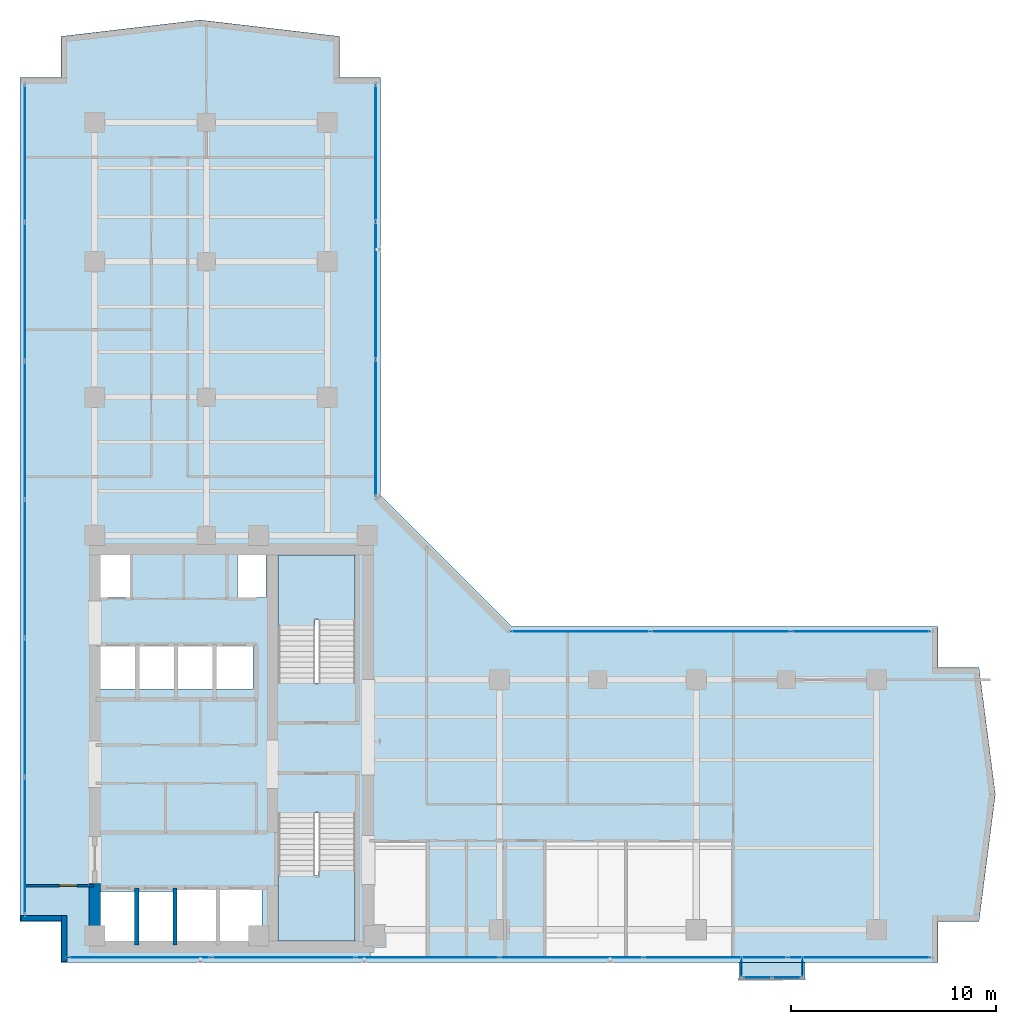
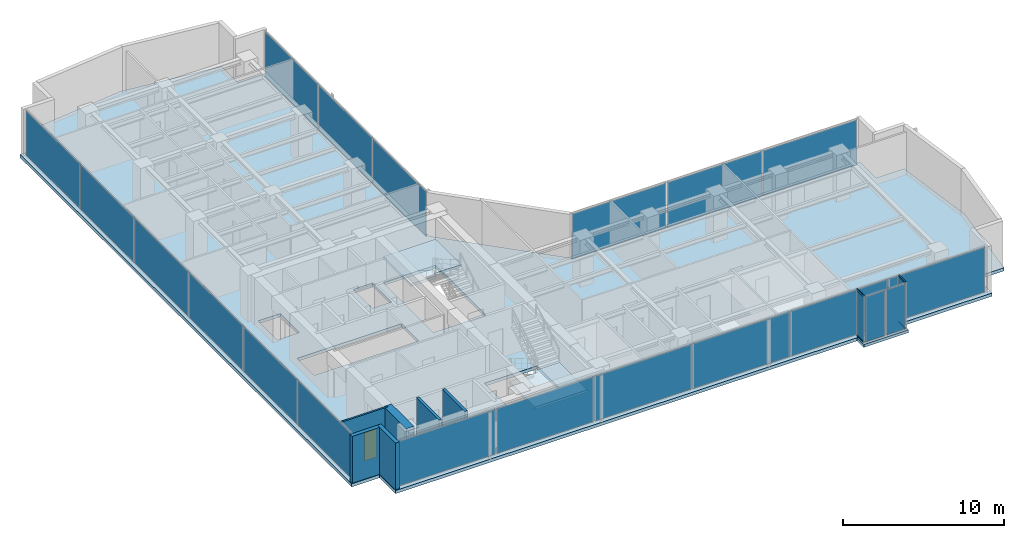
# One storey, part 15 of 23: 22 plates, 6 walls, 4 members, 4 slabs, 1 door, 1 opening, 9 elements without a shape of their own.
"""IFC4 building model written with IfcOpenShell, lengths in metres."""

from ifc_helpers import new_model, si_unit, direction, frame, frame_2d, origin, origin_with_axes, origin_2d, place, context, subcontext, project, spatial, polyline, rectangle, hollow_rectangle, outline, extrude, source, transform, mapped, material, layer, layer_set, material_profile, profile_set, type_object, element, fill, aggregate, save


model = new_model("IFC4")

# Units and contexts
model_context = context("Model", 3, precision=1e-05, world=origin(), true_north=direction((0.0, 1.0)))
body_context = subcontext(model_context, "Body", "Model", "MODEL_VIEW")
ifc_project = project(units=[si_unit("LENGTHUNIT", "METRE"), si_unit("AREAUNIT", "SQUARE_METRE"), si_unit("VOLUMEUNIT", "CUBIC_METRE"), si_unit("PLANEANGLEUNIT", "RADIAN"), si_unit("MASSUNIT", "GRAM", prefix="KILO")], contexts=[model_context])

# Site, building, storey
site_placement = place(None, origin())
site = spatial("IfcSite", under=ifc_project, at=site_placement, CompositionType="ELEMENT")
building_placement = place(site_placement, origin())
building = spatial("IfcBuilding", under=site, at=building_placement, Name="Kolvaren Waterfront Exchange", CompositionType="ELEMENT")
storey_placement = place(building_placement, frame((0.0, 0.0, 242.5)))
storey = spatial("IfcBuildingStorey", under=building, at=storey_placement, Name="L62", CompositionType="ELEMENT", Elevation=242.5)

# Curtain wall, members
ifc_material_1 = material(Name="Anodised bronze aluminium 6063-T6", Category="aluminium")
ifc_layer_1 = layer(ifc_material_1, 0.219970703125, Name="Anodised bronze aluminium 6063-T6")
ifc_layer_set_1 = layer_set([ifc_layer_1], Name="Anodised bronze aluminium 6063-T6")
curtain_wall_type_1 = type_object("IfcCurtainWallType", Name="ARC-CW-SYS3", PredefinedType="USERDEFINED", material=ifc_layer_set_1)
curtain_wall_1_placement = place(storey_placement, origin())
curtain_wall_1 = element("IfcCurtainWall", 1, at=curtain_wall_1_placement, inside=storey, type_object=curtain_wall_type_1, Name="L62 stick curtain wall CW3 (CW-L62-BOX-W)", ObjectType="STICK CURTAIN WALL", PredefinedType="USERDEFINED")
ifc_material_profile = material_profile(ifc_material_1, hollow_rectangle(XDim=0.06494140625, YDim=0.1298828125, WallThickness=0.00390625, at=origin_2d()), Name="ALU-TRN-130x65x4")
ifc_profile_set = profile_set([ifc_material_profile], Name="Anodised bronze aluminium 6063-T6")
member_type = type_object("IfcMemberType", Name="ARC-CWT-130", PredefinedType="USERDEFINED", material=ifc_profile_set)
shared_shape_1 = source(origin_with_axes(), body_context, "Body", "SweptSolid", [
    extrude(hollow_rectangle(XDim=0.06494140625, YDim=0.1298828125, WallThickness=0.00390625, at=origin_2d()), origin(), (0.0, 0.0, 1.0), 0.829833984375),
])
member_1_placement = place(storey_placement, frame((39.010009765625, 3.764892578125, 0.032470703125), z_axis=(0.0, -1.0, 0.0), x_axis=(1.0, 0.0, 0.0)))
member_1 = element("IfcMember", 2, at=member_1_placement, type_object=member_type, Name="CW3 transom 1.1", ObjectType="TRANSOM", PredefinedType="USERDEFINED", context=body_context, shape_type="MappedRepresentation", body=[
    mapped(shared_shape_1, transform((0.0, 0.0, 0.0), x_axis=(1.0, 0.0, 0.0), y_axis=(0.0, 1.0, 0.0), z_axis=(0.0, 0.0, 1.0), scale=1.0)),
])
member_2_placement = place(storey_placement, frame((39.010009765625, 3.764892578125, 3.527587890625), z_axis=(0.0, -1.0, 0.0), x_axis=(1.0, 0.0, 0.0)))
member_2 = element("IfcMember", 3, at=member_2_placement, type_object=member_type, Name="CW3 transom 1.2", ObjectType="TRANSOM", PredefinedType="USERDEFINED", context=body_context, shape_type="MappedRepresentation", body=[
    mapped(shared_shape_1, transform((0.0, 0.0, 0.0), x_axis=(1.0, 0.0, 0.0), y_axis=(0.0, 1.0, 0.0), z_axis=(0.0, 0.0, 1.0), scale=1.0)),
])

curtain_wall_2_placement = place(storey_placement, origin())
curtain_wall_2 = element("IfcCurtainWall", 4, at=curtain_wall_2_placement, inside=storey, type_object=curtain_wall_type_1, Name="L62 stick curtain wall CW3 (CW-L62-BOX-E)", ObjectType="STICK CURTAIN WALL", PredefinedType="USERDEFINED")
member_3_placement = place(storey_placement, frame((41.989990234375, 2.93505859375, 0.032470703125), z_axis=(0.0, 1.0, 0.0), x_axis=(-1.0, 0.0, 0.0)))
member_3 = element("IfcMember", 5, at=member_3_placement, type_object=member_type, Name="CW3 transom 1.1", ObjectType="TRANSOM", PredefinedType="USERDEFINED", context=body_context, shape_type="MappedRepresentation", body=[
    mapped(shared_shape_1, transform((0.0, 0.0, 0.0), x_axis=(1.0, 0.0, 0.0), y_axis=(0.0, 1.0, 0.0), z_axis=(0.0, 0.0, 1.0), scale=1.0)),
])
member_4_placement = place(storey_placement, frame((41.989990234375, 2.93505859375, 3.527587890625), z_axis=(0.0, 1.0, 0.0), x_axis=(-1.0, 0.0, 0.0)))
member_4 = element("IfcMember", 6, at=member_4_placement, type_object=member_type, Name="CW3 transom 1.2", ObjectType="TRANSOM", PredefinedType="USERDEFINED", context=body_context, shape_type="MappedRepresentation", body=[
    mapped(shared_shape_1, transform((0.0, 0.0, 0.0), x_axis=(1.0, 0.0, 0.0), y_axis=(0.0, 1.0, 0.0), z_axis=(0.0, 0.0, 1.0), scale=1.0)),
])

# Stair, slab
ifc_material_2 = material(Name="Concrete C40/50", Category="concrete")
stair_type = type_object("IfcStairType", Name="ARC-STAIR-3800", PredefinedType="HALF_TURN_STAIR", material=ifc_material_2)
stair_1_placement = place(storey_placement, origin())
stair_1 = element("IfcStair", 7, at=stair_1_placement, inside=storey, type_object=stair_type, Name="L62 Smoke-proof exit stair ST1", PredefinedType="HALF_TURN_STAIR")
ifc_layer_2 = layer(ifc_material_2, 0.199951171875, Name="Concrete C40/50")
ifc_layer_set_2 = layer_set([ifc_layer_2], Name="Concrete C40/50")
slab_type_1 = type_object("IfcSlabType", Name="STR-LANDING-200", PredefinedType="LANDING", material=ifc_layer_set_2)
slab_1_placement = place(storey_placement, frame((0.0, 0.0, 1.77587890625)))
slab_1 = element("IfcSlab", 8, at=slab_1_placement, type_object=slab_type_1, Name="ST1 landing 1", PredefinedType="LANDING", context=body_context, shape_type="SweptSolid", body=[
    extrude(outline(polyline([(16.39990234375, 7.840087890625), (16.39990234375, 4.64990234375), (20.159912109375, 4.64990234375), (20.159912109375, 8.10009765625), (18.360107421875, 8.10009765625), (18.360107421875, 7.840087890625), (16.39990234375, 7.840087890625)])), origin(), (0.0, 0.0, 1.0), 0.2001953125),
])
aggregate(stair_1, [slab_1])

stair_2_placement = place(storey_placement, origin())
stair_2 = element("IfcStair", 9, at=stair_2_placement, inside=storey, type_object=stair_type, Name="L62 Smoke-proof exit stair ST2", PredefinedType="HALF_TURN_STAIR")
slab_2_placement = place(storey_placement, frame((0.0, 0.0, 1.77587890625)))
slab_2 = element("IfcSlab", 10, at=slab_2_placement, type_object=slab_type_1, Name="ST2 landing 1", PredefinedType="LANDING", context=body_context, shape_type="SweptSolid", body=[
    extrude(outline(polyline([(20.159912109375, 20.31005859375), (20.159912109375, 23.5), (16.39990234375, 23.5), (16.39990234375, 20.050048828125), (18.199951171875, 20.050048828125), (18.199951171875, 20.31005859375), (20.159912109375, 20.31005859375)])), origin(), (0.0, 0.0, 1.0), 0.2001953125),
])
aggregate(stair_2, [slab_2])

# Slabs
ifc_layer_3 = layer(ifc_material_2, 0.239990234375, Name="Concrete C40/50")
ifc_layer_set_3 = layer_set([ifc_layer_3], Name="Concrete C40/50")
slab_type_2 = type_object("IfcSlabType", Name="STR-SLAB-240", PredefinedType="FLOOR", material=ifc_layer_set_3)
slab_3_placement = place(storey_placement, frame((0.0, 0.0, -0.239990234375)))
element("IfcSlab", 11, at=slab_3_placement, inside=storey, type_object=slab_type_2, Name="L62 structural floor slab", PredefinedType="FLOOR", context=body_context, shape_type="SweptSolid", body=[
    extrude(outline(polyline([(5.800048828125, 3.60009765625), (48.60009765625, 3.60009765625), (48.60009765625, 5.60009765625), (50.60009765625, 5.60009765625), (51.39990234375, 11.800048828125), (50.60009765625, 18.0), (48.60009765625, 18.0), (48.60009765625, 20.0), (27.800048828125, 20.0), (21.39990234375, 26.39990234375), (21.39990234375, 46.800048828125), (19.39990234375, 46.800048828125), (19.39990234375, 48.800048828125), (12.60009765625, 49.60009765625), (5.800048828125, 48.800048828125), (5.800048828125, 46.800048828125), (3.800048828125, 46.800048828125), (3.800048828125, 5.60009765625), (5.800048828125, 5.60009765625), (5.800048828125, 3.60009765625)]), holes=[polyline([(11.320068359375, 7.260009765625), (15.610107421875, 7.260009765625), (15.610107421875, 4.5400390625), (7.719970703125, 4.5400390625), (7.719970703125, 7.06005859375), (11.320068359375, 7.06005859375), (11.320068359375, 7.260009765625)]), polyline([(20.159912109375, 10.89990234375), (20.159912109375, 4.64990234375), (16.39990234375, 4.64990234375), (16.39990234375, 10.89990234375), (20.159912109375, 10.89990234375)]), polyline([(7.669921875, 19.06005859375), (15.159912109375, 19.06005859375), (15.159912109375, 16.93994140625), (7.669921875, 16.93994140625), (7.669921875, 19.06005859375)]), polyline([(16.39990234375, 17.25), (16.39990234375, 23.5), (20.159912109375, 23.5), (20.159912109375, 17.25), (16.39990234375, 17.25)]), polyline([(7.60009765625, 23.780029296875), (9.179931640625, 23.780029296875), (9.179931640625, 21.419921875), (7.60009765625, 21.419921875), (7.60009765625, 23.780029296875)]), polyline([(14.419921875, 23.780029296875), (15.800048828125, 23.780029296875), (15.800048828125, 21.419921875), (14.419921875, 21.419921875), (14.419921875, 23.780029296875)])]), origin(), (0.0, 0.0, 1.0), 0.239990234375),
])
ifc_layer_4 = layer(ifc_material_2, 0.219970703125, Name="Concrete C40/50")
ifc_layer_set_4 = layer_set([ifc_layer_4], Name="Concrete C40/50")
slab_type_3 = type_object("IfcSlabType", Name="STR-TERR-220", PredefinedType="FLOOR", material=ifc_layer_set_4)
slab_4_placement = place(storey_placement, frame((0.0, 0.0, -0.219970703125)))
element("IfcSlab", 12, at=slab_4_placement, inside=storey, type_object=slab_type_3, Name="L62 projecting bay-box floor strip", PredefinedType="FLOOR", context=body_context, shape_type="SweptSolid", body=[
    extrude(outline(polyline([(38.89990234375, 2.75), (42.10009765625, 2.75), (42.10009765625, 3.60009765625), (38.89990234375, 3.60009765625), (38.89990234375, 2.75)])), origin(), (0.0, 0.0, 1.0), 0.219970703125),
])

# Plate
ifc_material_3 = material(Name="Bronze tinted bay-box vision glass", Category="aluminium")
ifc_layer_5 = layer(ifc_material_3, 0.02392578125, Name="Bronze tinted bay-box vision glass")
ifc_layer_set_5 = layer_set([ifc_layer_5], Name="Bronze tinted bay-box vision glass")
plate_type_1 = type_object("IfcPlateType", Name="ARC-CWP-24", PredefinedType="CURTAIN_PANEL", material=ifc_layer_set_5)
shared_shape_2 = source(origin_with_axes(), body_context, "Body", "SweptSolid", [
    extrude(rectangle(XDim=0.830078125, YDim=0.02392578125, at=origin_2d()), origin(), (0.0, 0.0, 1.0), 3.429931640625),
])
plate_1_placement = place(storey_placement, frame((39.010009765625, 3.35009765625, 0.06494140625), z_axis=(0.0, 0.0, 1.0), x_axis=(0.0, -1.0, 0.0)))
plate_1 = element("IfcPlate", 13, at=plate_1_placement, type_object=plate_type_1, Name="CW3 panel 1.1", PredefinedType="CURTAIN_PANEL", context=body_context, shape_type="MappedRepresentation", body=[
    mapped(shared_shape_2, transform((0.0, 0.0, 0.0), x_axis=(1.0, 0.0, 0.0), y_axis=(0.0, 1.0, 0.0), z_axis=(0.0, 0.0, 1.0), scale=1.0)),
])

aggregate(curtain_wall_1, [member_1, member_2, plate_1])

plate_2_placement = place(storey_placement, frame((41.989990234375, 3.35009765625, 0.06494140625), z_axis=(0.0, 0.0, 1.0), x_axis=(0.0, 1.0, 0.0)))
plate_2 = element("IfcPlate", 14, at=plate_2_placement, type_object=plate_type_1, Name="CW3 panel 1.1", PredefinedType="CURTAIN_PANEL", context=body_context, shape_type="MappedRepresentation", body=[
    mapped(shared_shape_2, transform((0.0, 0.0, 0.0), x_axis=(1.0, 0.0, 0.0), y_axis=(0.0, 1.0, 0.0), z_axis=(0.0, 0.0, 1.0), scale=1.0)),
])

aggregate(curtain_wall_2, [member_3, member_4, plate_2])

# Curtain wall, plates
curtain_wall_3_placement = place(storey_placement, origin())
curtain_wall_3 = element("IfcCurtainWall", 15, at=curtain_wall_3_placement, inside=storey, type_object=curtain_wall_type_1, Name="L62 stick curtain wall CW3 (CW-L62-BOX)", ObjectType="STICK CURTAIN WALL", PredefinedType="USERDEFINED")
shared_shape_3 = source(origin_with_axes(), body_context, "Body", "SweptSolid", [
    extrude(rectangle(XDim=1.37744140625, YDim=0.02392578125, at=origin_2d()), origin(), (0.0, 0.0, 1.0), 3.429931640625),
])
plate_3_placement = place(storey_placement, frame((39.773681640625, 2.860107421875, 0.06494140625), z_axis=(0.0, 0.0, 1.0), x_axis=(1.0, 0.0, 0.0)))
plate_3 = element("IfcPlate", 16, at=plate_3_placement, type_object=plate_type_1, Name="CW3 panel 1.1", PredefinedType="CURTAIN_PANEL", context=body_context, shape_type="MappedRepresentation", body=[
    mapped(shared_shape_3, transform((0.0, 0.0, 0.0), x_axis=(1.0, 0.0, 0.0), y_axis=(0.0, 1.0, 0.0), z_axis=(0.0, 0.0, 1.0), scale=1.0)),
])
plate_4_placement = place(storey_placement, frame((41.226318359375, 2.860107421875, 0.06494140625), z_axis=(0.0, 0.0, 1.0), x_axis=(1.0, 0.0, 0.0)))
plate_4 = element("IfcPlate", 17, at=plate_4_placement, type_object=plate_type_1, Name="CW3 panel 2.1", PredefinedType="CURTAIN_PANEL", context=body_context, shape_type="MappedRepresentation", body=[
    mapped(shared_shape_3, transform((0.0, 0.0, 0.0), x_axis=(1.0, 0.0, 0.0), y_axis=(0.0, 1.0, 0.0), z_axis=(0.0, 0.0, 1.0), scale=1.0)),
])
aggregate(curtain_wall_3, [plate_3, plate_4])

ifc_material_4 = material(Name="Anodised aluminium 6063-T6", Category="aluminium")
ifc_layer_6 = layer(ifc_material_4, 0.219970703125, Name="Anodised aluminium 6063-T6")
ifc_layer_set_6 = layer_set([ifc_layer_6], Name="Anodised aluminium 6063-T6")
curtain_wall_type_2 = type_object("IfcCurtainWallType", Name="ARC-CW-SYS2", PredefinedType="USERDEFINED", material=ifc_layer_set_6)
curtain_wall_4_placement = place(storey_placement, origin())
curtain_wall_4 = element("IfcCurtainWall", 18, at=curtain_wall_4_placement, inside=storey, type_object=curtain_wall_type_2, Name="L62 stick curtain wall CW2 (CW-L62-W)", ObjectType="STICK CURTAIN WALL", PredefinedType="USERDEFINED")
ifc_material_5 = material(Name="Acoustic laminated vision glass", Category="glass")
ifc_layer_7 = layer(ifc_material_5, 0.031982421875, Name="Acoustic laminated vision glass")
ifc_layer_set_7 = layer_set([ifc_layer_7], Name="Acoustic laminated vision glass")
plate_type_2 = type_object("IfcPlateType", Name="ARC-CWP-32", PredefinedType="CURTAIN_PANEL", material=ifc_layer_set_7)
shared_shape_4 = source(origin_with_axes(), body_context, "Body", "SweptSolid", [
    extrude(rectangle(XDim=6.646728515625, YDim=0.031982421875, at=origin_2d()), origin(), (0.0, 0.0, 1.0), 3.409912109375),
])
plate_5_placement = place(storey_placement, frame((4.0400390625, 9.30322265625, 0.0751953125), z_axis=(0.0, 0.0, 1.0), x_axis=(0.0, 1.0, 0.0)))
plate_5 = element("IfcPlate", 19, at=plate_5_placement, type_object=plate_type_2, Name="CW2 panel 1.1", PredefinedType="CURTAIN_PANEL", context=body_context, shape_type="MappedRepresentation", body=[
    mapped(shared_shape_4, transform((0.0, 0.0, 0.0), x_axis=(1.0, 0.0, 0.0), y_axis=(0.0, 1.0, 0.0), z_axis=(0.0, 0.0, 1.0), scale=1.0)),
])
plate_6_placement = place(storey_placement, frame((4.0400390625, 43.0966796875, 0.0751953125), z_axis=(0.0, 0.0, 1.0), x_axis=(0.0, 1.0, 0.0)))
plate_6 = element("IfcPlate", 20, at=plate_6_placement, type_object=plate_type_2, Name="CW2 panel 6.1", PredefinedType="CURTAIN_PANEL", context=body_context, shape_type="MappedRepresentation", body=[
    mapped(shared_shape_4, transform((0.0, 0.0, 0.0), x_axis=(1.0, 0.0, 0.0), y_axis=(0.0, 1.0, 0.0), z_axis=(0.0, 0.0, 1.0), scale=1.0)),
])
shared_shape_5 = source(origin_with_axes(), body_context, "Body", "SweptSolid", [
    extrude(rectangle(XDim=6.686767578125, YDim=0.031982421875, at=origin_2d()), origin(), (0.0, 0.0, 1.0), 3.409912109375),
])
plate_7_placement = place(storey_placement, frame((4.0400390625, 16.050048828125, 0.0751953125), z_axis=(0.0, 0.0, 1.0), x_axis=(0.0, 1.0, 0.0)))
plate_7 = element("IfcPlate", 21, at=plate_7_placement, type_object=plate_type_2, Name="CW2 panel 2.1", PredefinedType="CURTAIN_PANEL", context=body_context, shape_type="MappedRepresentation", body=[
    mapped(shared_shape_5, transform((0.0, 0.0, 0.0), x_axis=(1.0, 0.0, 0.0), y_axis=(0.0, 1.0, 0.0), z_axis=(0.0, 0.0, 1.0), scale=1.0)),
])
plate_8_placement = place(storey_placement, frame((4.0400390625, 22.816650390625, 0.0751953125), z_axis=(0.0, 0.0, 1.0), x_axis=(0.0, 1.0, 0.0)))
plate_8 = element("IfcPlate", 22, at=plate_8_placement, type_object=plate_type_2, Name="CW2 panel 3.1", PredefinedType="CURTAIN_PANEL", context=body_context, shape_type="MappedRepresentation", body=[
    mapped(shared_shape_5, transform((0.0, 0.0, 0.0), x_axis=(1.0, 0.0, 0.0), y_axis=(0.0, 1.0, 0.0), z_axis=(0.0, 0.0, 1.0), scale=1.0)),
])
plate_9_placement = place(storey_placement, frame((4.0400390625, 29.583251953125, 0.0751953125), z_axis=(0.0, 0.0, 1.0), x_axis=(0.0, 1.0, 0.0)))
plate_9 = element("IfcPlate", 23, at=plate_9_placement, type_object=plate_type_2, Name="CW2 panel 4.1", PredefinedType="CURTAIN_PANEL", context=body_context, shape_type="MappedRepresentation", body=[
    mapped(shared_shape_5, transform((0.0, 0.0, 0.0), x_axis=(1.0, 0.0, 0.0), y_axis=(0.0, 1.0, 0.0), z_axis=(0.0, 0.0, 1.0), scale=1.0)),
])
plate_10_placement = place(storey_placement, frame((4.0400390625, 36.35009765625, 0.0751953125), z_axis=(0.0, 0.0, 1.0), x_axis=(0.0, 1.0, 0.0)))
plate_10 = element("IfcPlate", 24, at=plate_10_placement, type_object=plate_type_2, Name="CW2 panel 5.1", PredefinedType="CURTAIN_PANEL", context=body_context, shape_type="MappedRepresentation", body=[
    mapped(shared_shape_5, transform((0.0, 0.0, 0.0), x_axis=(1.0, 0.0, 0.0), y_axis=(0.0, 1.0, 0.0), z_axis=(0.0, 0.0, 1.0), scale=1.0)),
])
aggregate(curtain_wall_4, [plate_5, plate_7, plate_8, plate_9, plate_10, plate_6])

ifc_layer_8 = layer(ifc_material_1, 0.219970703125, Name="Anodised bronze aluminium 6063-T6")
ifc_layer_set_8 = layer_set([ifc_layer_8], Name="Anodised bronze aluminium 6063-T6")
curtain_wall_type_3 = type_object("IfcCurtainWallType", Name="ARC-CW-SYS1", PredefinedType="USERDEFINED", material=ifc_layer_set_8)
curtain_wall_5_placement = place(storey_placement, origin())
curtain_wall_5 = element("IfcCurtainWall", 25, at=curtain_wall_5_placement, inside=storey, type_object=curtain_wall_type_3, Name="L62 stick curtain wall CW1 (CW-L62-S)", ObjectType="STICK CURTAIN WALL", PredefinedType="USERDEFINED")
ifc_material_6 = material(Name="Bronze solar control vision glass", Category="aluminium")
ifc_layer_9 = layer(ifc_material_6, 0.028076171875, Name="Bronze solar control vision glass")
ifc_layer_set_9 = layer_set([ifc_layer_9], Name="Bronze solar control vision glass")
plate_type_3 = type_object("IfcPlateType", Name="ARC-CWP-28", PredefinedType="CURTAIN_PANEL", material=ifc_layer_set_9)
shared_shape_6 = source(origin_with_axes(), body_context, "Body", "SweptSolid", [
    extrude(rectangle(XDim=6.913330078125, YDim=0.028076171875, at=origin_2d()), origin(), (0.0, 0.0, 1.0), 3.409912109375),
])
plate_11_placement = place(storey_placement, frame((9.63671875, 3.840087890625, 0.0751953125), z_axis=(0.0, 0.0, 1.0), x_axis=(1.0, 0.0, 0.0)))
plate_11 = element("IfcPlate", 26, at=plate_11_placement, type_object=plate_type_3, Name="CW1 panel 1.1", PredefinedType="CURTAIN_PANEL", context=body_context, shape_type="MappedRepresentation", body=[
    mapped(shared_shape_6, transform((0.0, 0.0, 0.0), x_axis=(1.0, 0.0, 0.0), y_axis=(0.0, 1.0, 0.0), z_axis=(0.0, 0.0, 1.0), scale=1.0)),
])
plate_12_placement = place(storey_placement, frame((44.763427734375, 3.840087890625, 0.0751953125), z_axis=(0.0, 0.0, 1.0), x_axis=(1.0, 0.0, 0.0)))
plate_12 = element("IfcPlate", 27, at=plate_12_placement, type_object=plate_type_3, Name="CW1 panel 6.1", PredefinedType="CURTAIN_PANEL", context=body_context, shape_type="MappedRepresentation", body=[
    mapped(shared_shape_6, transform((0.0, 0.0, 0.0), x_axis=(1.0, 0.0, 0.0), y_axis=(0.0, 1.0, 0.0), z_axis=(0.0, 0.0, 1.0), scale=1.0)),
])
shared_shape_7 = source(origin_with_axes(), body_context, "Body", "SweptSolid", [
    extrude(rectangle(XDim=6.953369140625, YDim=0.028076171875, at=origin_2d()), origin(), (0.0, 0.0, 1.0), 3.409912109375),
])
plate_13_placement = place(storey_placement, frame((16.64990234375, 3.840087890625, 0.0751953125), z_axis=(0.0, 0.0, 1.0), x_axis=(1.0, 0.0, 0.0)))
plate_13 = element("IfcPlate", 28, at=plate_13_placement, type_object=plate_type_3, Name="CW1 panel 2.1", PredefinedType="CURTAIN_PANEL", context=body_context, shape_type="MappedRepresentation", body=[
    mapped(shared_shape_7, transform((0.0, 0.0, 0.0), x_axis=(1.0, 0.0, 0.0), y_axis=(0.0, 1.0, 0.0), z_axis=(0.0, 0.0, 1.0), scale=1.0)),
])
plate_14_placement = place(storey_placement, frame((23.683349609375, 3.840087890625, 0.0751953125), z_axis=(0.0, 0.0, 1.0), x_axis=(1.0, 0.0, 0.0)))
plate_14 = element("IfcPlate", 29, at=plate_14_placement, type_object=plate_type_3, Name="CW1 panel 3.1", PredefinedType="CURTAIN_PANEL", context=body_context, shape_type="MappedRepresentation", body=[
    mapped(shared_shape_7, transform((0.0, 0.0, 0.0), x_axis=(1.0, 0.0, 0.0), y_axis=(0.0, 1.0, 0.0), z_axis=(0.0, 0.0, 1.0), scale=1.0)),
])
plate_15_placement = place(storey_placement, frame((30.716552734375, 3.840087890625, 0.0751953125), z_axis=(0.0, 0.0, 1.0), x_axis=(1.0, 0.0, 0.0)))
plate_15 = element("IfcPlate", 30, at=plate_15_placement, type_object=plate_type_3, Name="CW1 panel 4.1", PredefinedType="CURTAIN_PANEL", context=body_context, shape_type="MappedRepresentation", body=[
    mapped(shared_shape_7, transform((0.0, 0.0, 0.0), x_axis=(1.0, 0.0, 0.0), y_axis=(0.0, 1.0, 0.0), z_axis=(0.0, 0.0, 1.0), scale=1.0)),
])
plate_16_placement = place(storey_placement, frame((37.75, 3.840087890625, 0.0751953125), z_axis=(0.0, 0.0, 1.0), x_axis=(1.0, 0.0, 0.0)))
plate_16 = element("IfcPlate", 31, at=plate_16_placement, type_object=plate_type_3, Name="CW1 panel 5.1", PredefinedType="CURTAIN_PANEL", context=body_context, shape_type="MappedRepresentation", body=[
    mapped(shared_shape_7, transform((0.0, 0.0, 0.0), x_axis=(1.0, 0.0, 0.0), y_axis=(0.0, 1.0, 0.0), z_axis=(0.0, 0.0, 1.0), scale=1.0)),
])
aggregate(curtain_wall_5, [plate_11, plate_13, plate_14, plate_15, plate_16, plate_12])

curtain_wall_6_placement = place(storey_placement, origin())
curtain_wall_6 = element("IfcCurtainWall", 32, at=curtain_wall_6_placement, inside=storey, type_object=curtain_wall_type_3, Name="L62 stick curtain wall CW1 (CW-L62-NE)", ObjectType="STICK CURTAIN WALL", PredefinedType="USERDEFINED")
shared_shape_8 = source(origin_with_axes(), body_context, "Body", "SweptSolid", [
    extrude(rectangle(XDim=6.61669921875, YDim=0.028076171875, at=origin_2d()), origin(), (0.0, 0.0, 1.0), 3.409912109375),
])
plate_17_placement = place(storey_placement, frame((21.159912109375, 29.67822265625, 0.0751953125), z_axis=(0.0, 0.0, 1.0), x_axis=(0.0, 1.0, 0.0)))
plate_17 = element("IfcPlate", 33, at=plate_17_placement, type_object=plate_type_3, Name="CW1 panel 1.1", PredefinedType="CURTAIN_PANEL", context=body_context, shape_type="MappedRepresentation", body=[
    mapped(shared_shape_8, transform((0.0, 0.0, 0.0), x_axis=(1.0, 0.0, 0.0), y_axis=(0.0, 1.0, 0.0), z_axis=(0.0, 0.0, 1.0), scale=1.0)),
])
plate_18_placement = place(storey_placement, frame((21.159912109375, 43.111572265625, 0.0751953125), z_axis=(0.0, 0.0, 1.0), x_axis=(0.0, 1.0, 0.0)))
plate_18 = element("IfcPlate", 34, at=plate_18_placement, type_object=plate_type_3, Name="CW1 panel 3.1", PredefinedType="CURTAIN_PANEL", context=body_context, shape_type="MappedRepresentation", body=[
    mapped(shared_shape_8, transform((0.0, 0.0, 0.0), x_axis=(1.0, 0.0, 0.0), y_axis=(0.0, 1.0, 0.0), z_axis=(0.0, 0.0, 1.0), scale=1.0)),
])
shared_shape_9 = source(origin_with_axes(), body_context, "Body", "SweptSolid", [
    extrude(rectangle(XDim=6.65673828125, YDim=0.028076171875, at=origin_2d()), origin(), (0.0, 0.0, 1.0), 3.409912109375),
])
plate_19_placement = place(storey_placement, frame((21.159912109375, 36.39501953125, 0.0751953125), z_axis=(0.0, 0.0, 1.0), x_axis=(0.0, 1.0, 0.0)))
plate_19 = element("IfcPlate", 35, at=plate_19_placement, type_object=plate_type_3, Name="CW1 panel 2.1", PredefinedType="CURTAIN_PANEL", context=body_context, shape_type="MappedRepresentation", body=[
    mapped(shared_shape_9, transform((0.0, 0.0, 0.0), x_axis=(1.0, 0.0, 0.0), y_axis=(0.0, 1.0, 0.0), z_axis=(0.0, 0.0, 1.0), scale=1.0)),
])
aggregate(curtain_wall_6, [plate_17, plate_19, plate_18])

curtain_wall_7_placement = place(storey_placement, origin())
curtain_wall_7 = element("IfcCurtainWall", 36, at=curtain_wall_7_placement, inside=storey, type_object=curtain_wall_type_3, Name="L62 stick curtain wall CW1 (CW-L62-EN)", ObjectType="STICK CURTAIN WALL", PredefinedType="USERDEFINED")
shared_shape_10 = source(origin_with_axes(), body_context, "Body", "SweptSolid", [
    extrude(rectangle(XDim=6.75, YDim=0.028076171875, at=origin_2d()), origin(), (0.0, 0.0, 1.0), 3.409912109375),
])
plate_20_placement = place(storey_placement, frame((31.14501953125, 19.760009765625, 0.0751953125), z_axis=(0.0, 0.0, 1.0), x_axis=(1.0, 0.0, 0.0)))
plate_20 = element("IfcPlate", 37, at=plate_20_placement, type_object=plate_type_3, Name="CW1 panel 1.1", PredefinedType="CURTAIN_PANEL", context=body_context, shape_type="MappedRepresentation", body=[
    mapped(shared_shape_10, transform((0.0, 0.0, 0.0), x_axis=(1.0, 0.0, 0.0), y_axis=(0.0, 1.0, 0.0), z_axis=(0.0, 0.0, 1.0), scale=1.0)),
])
plate_21_placement = place(storey_placement, frame((44.844970703125, 19.760009765625, 0.0751953125), z_axis=(0.0, 0.0, 1.0), x_axis=(1.0, 0.0, 0.0)))
plate_21 = element("IfcPlate", 38, at=plate_21_placement, type_object=plate_type_3, Name="CW1 panel 3.1", PredefinedType="CURTAIN_PANEL", context=body_context, shape_type="MappedRepresentation", body=[
    mapped(shared_shape_10, transform((0.0, 0.0, 0.0), x_axis=(1.0, 0.0, 0.0), y_axis=(0.0, 1.0, 0.0), z_axis=(0.0, 0.0, 1.0), scale=1.0)),
])
shared_shape_11 = source(origin_with_axes(), body_context, "Body", "SweptSolid", [
    extrude(rectangle(XDim=6.7900390625, YDim=0.028076171875, at=origin_2d()), origin(), (0.0, 0.0, 1.0), 3.409912109375),
])
plate_22_placement = place(storey_placement, frame((37.9951171875, 19.760009765625, 0.0751953125), z_axis=(0.0, 0.0, 1.0), x_axis=(1.0, 0.0, 0.0)))
plate_22 = element("IfcPlate", 39, at=plate_22_placement, type_object=plate_type_3, Name="CW1 panel 2.1", PredefinedType="CURTAIN_PANEL", context=body_context, shape_type="MappedRepresentation", body=[
    mapped(shared_shape_11, transform((0.0, 0.0, 0.0), x_axis=(1.0, 0.0, 0.0), y_axis=(0.0, 1.0, 0.0), z_axis=(0.0, 0.0, 1.0), scale=1.0)),
])
aggregate(curtain_wall_7, [plate_20, plate_22, plate_21])

# Walls
ifc_material_7 = material(Name="Precast concrete C40/50", Category="concrete")
ifc_layer_10 = layer(ifc_material_7, 0.280029296875, Name="Precast concrete C40/50")
ifc_layer_set_10 = layer_set([ifc_layer_10], Name="Precast concrete C40/50")
wall_type_1 = type_object("IfcWallType", Name="ARC-EXT-TERR-280", PredefinedType="SOLIDWALL", material=ifc_layer_set_10)
wall_1_placement = place(storey_placement, frame((5.9599609375, 3.659912109375, 0.0), z_axis=(0.0, 0.0, 1.0), x_axis=(0.0, 1.0, 0.0)))
element("IfcWall", 40, at=wall_1_placement, inside=storey, type_object=wall_type_1, Name="L62 notched corner spandrel pier SW-A", PredefinedType="SOLIDWALL", context=body_context, shape_type="SweptSolid", body=[
    extrude(rectangle(XDim=2.239990234375, YDim=0.280029296875, at=frame_2d((1.1201171875, 0.0))), origin(), (0.0, 0.0, 1.0), 3.56005859375),
])
wall_2_placement = place(storey_placement, frame((3.860107421875, 5.760009765625, 0.0), z_axis=(0.0, 0.0, 1.0), x_axis=(1.0, 0.0, 0.0)))
element("IfcWall", 41, at=wall_2_placement, inside=storey, type_object=wall_type_1, Name="L62 notched corner spandrel pier SW-B", PredefinedType="SOLIDWALL", context=body_context, shape_type="SweptSolid", body=[
    extrude(rectangle(XDim=1.9599609375, YDim=0.280029296875, at=frame_2d((0.97998046875, 0.0))), origin(), (0.0, 0.0, 1.0), 3.56005859375),
])

# Wall, opening, door
ifc_material_8 = material(Name="Acoustic gypsum steel stud", Category="steel")
ifc_layer_11 = layer(ifc_material_8, 0.125, Name="Acoustic gypsum steel stud")
ifc_layer_set_11 = layer_set([ifc_layer_11], Name="Acoustic gypsum steel stud")
wall_type_2 = type_object("IfcWallType", Name="ARC-PART-125", PredefinedType="PARTITIONING", material=ifc_layer_set_11)
wall_3_placement = place(storey_placement, frame((4.0400390625, 7.35009765625, 0.0), z_axis=(0.0, 0.0, 1.0), x_axis=(1.0, 0.0, 0.0)))
wall_3 = element("IfcWall", 42, at=wall_3_placement, inside=storey, type_object=wall_type_2, Name="L62 interior wall PW-L62-SWC-N", PredefinedType="PARTITIONING", context=body_context, shape_type="SweptSolid", body=[
    extrude(rectangle(XDim=3.35986328125, YDim=0.125, at=frame_2d((1.679931640625, 0.0))), origin(), (0.0, 0.0, 1.0), 3.56005859375),
])
opening_placement = place(wall_3_placement, frame((1.686767578125, 0.0, 0.0)))
opening = element("IfcOpeningElement", 43, at=opening_placement, cuts=wall_3, Name="Opening D01", PredefinedType="OPENING", context=body_context, shape_type="SweptSolid", body=[
    extrude(rectangle(XDim=0.85009765625, YDim=2.14990234375, at=frame_2d((0.425048828125, 1.074951171875))), frame((0.0, 0.072509765625, 0.0), z_axis=(0.0, -1.0, 0.0), x_axis=(1.0, 0.0, 0.0)), (0.0, 0.0, 1.0), 0.14501953125),
])
ifc_material_9 = material(Name="Oak veneer timber leaf", Category="wood")
door_type = type_object("IfcDoorType", Name="ARC-DR-900", OperationType="NOTDEFINED", PredefinedType="DOOR", material=ifc_material_9)
door_placement = place(opening_placement, origin())
door = element("IfcDoor", 44, at=door_placement, inside=storey, type_object=door_type, Name="L62 door DR-L62-SWC-D (D01)", OperationType="SINGLE_SWING_RIGHT", OverallHeight=2.14990234375, OverallWidth=0.85009765625, PredefinedType="DOOR", context=body_context, shape_type="SweptSolid", body=[
    extrude(rectangle(XDim=0.85009765625, YDim=2.14990234375, at=frame_2d((0.425048828125, 1.074951171875))), frame((0.0, 0.02490234375, 0.0), z_axis=(0.0, -1.0, 0.0), x_axis=(1.0, 0.0, 0.0)), (0.0, 0.0, 1.0), 0.050048828125),
])
fill(opening, door)

# Walls
ifc_layer_12 = layer(ifc_material_2, 0.199951171875, Name="Concrete C40/50")
ifc_layer_set_12 = layer_set([ifc_layer_12], Name="Concrete C40/50")
wall_type_3 = type_object("IfcWallType", Name="ARC-SHAFT-200", PredefinedType="PARTITIONING", material=ifc_layer_set_12)
for number, where, z_axis, x_axis, name in (
    (45, (9.5, 4.449951171875, 0.0), (0.0, 0.0, 1.0), (0.0, 1.0, 0.0), "L62 interior wall PW-L62-SH1-DIV-95"),
    (46, (11.360107421875, 4.449951171875, 0.0), (0.0, 0.0, 1.0), (0.0, 1.0, 0.0), "L62 interior wall PW-L62-SH1-DIV-113"),
):
    element("IfcWall", number, at=place(storey_placement, frame(where, z_axis=z_axis, x_axis=x_axis)), inside=storey, type_object=wall_type_3, Name=name, PredefinedType="PARTITIONING", context=body_context, shape_type="SweptSolid", body=[
        extrude(rectangle(XDim=2.800048828125, YDim=0.199951171875, at=frame_2d((1.39990234375, 0.0))), origin(), (0.0, 0.0, 1.0), 3.56005859375),
    ])
ifc_material_10 = material(Name="Concrete C50/60", Category="concrete")
ifc_layer_13 = layer(ifc_material_10, 0.550048828125, Name="Concrete C50/60")
ifc_layer_set_13 = layer_set([ifc_layer_13], Name="Concrete C50/60")
wall_type_4 = type_object("IfcWallType", Name="STR-CWALL-550", PredefinedType="SHEAR", material=ifc_layer_set_13)
wall_4_placement = place(storey_placement, frame((7.449951171875, 4.64990234375, 0.0), z_axis=(0.0, 0.0, 1.0), x_axis=(0.0, 1.0, 0.0)))
element("IfcWall", 47, at=wall_4_placement, inside=storey, type_object=wall_type_4, Name="L62 rear-core shear wall W1", PredefinedType="SHEAR", context=body_context, shape_type="SweptSolid", body=[
    extrude(rectangle(XDim=2.800048828125, YDim=0.550048828125, at=frame_2d((1.39990234375, 0.0))), origin(), (0.0, 0.0, 1.0), 3.56005859375),
])

save(model, "model.ifc")
